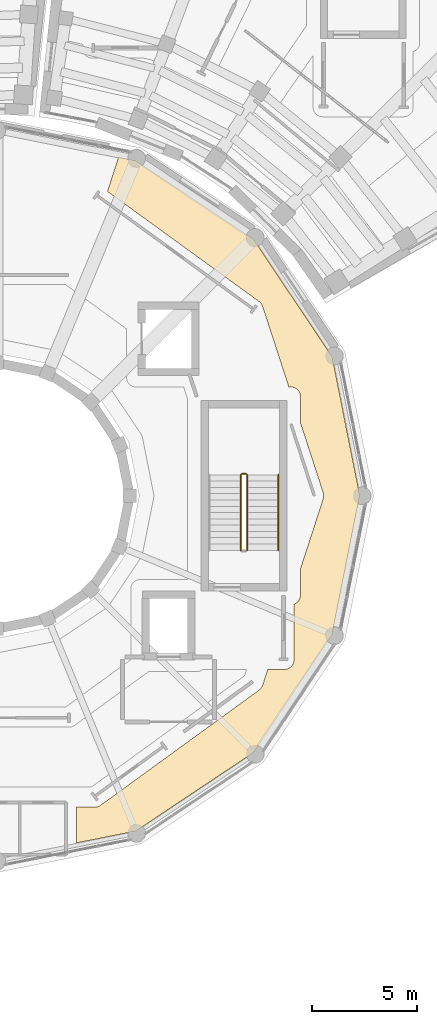
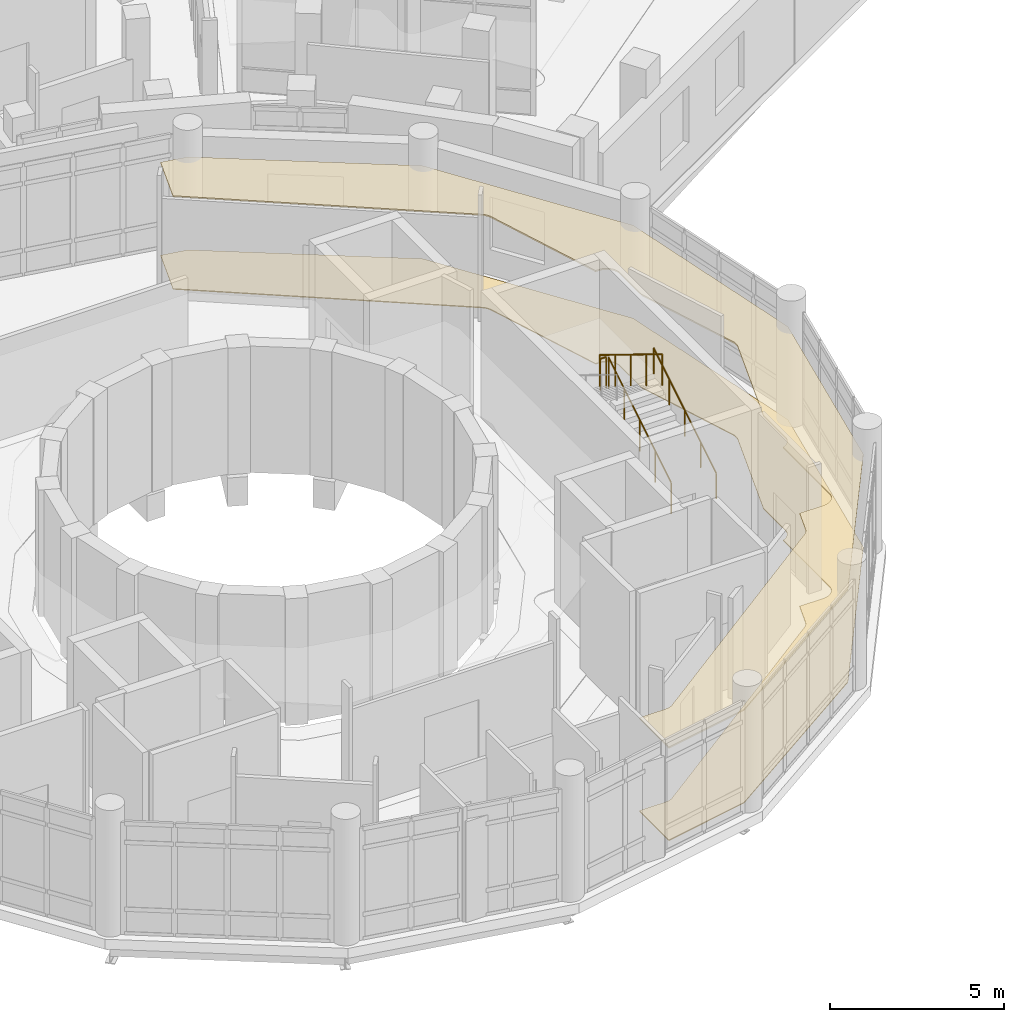
# One storey, part 43 of 49: 4 railings, 2 coverings.
"""IFC4 building model written with IfcOpenShell, lengths in metres."""

from ifc_helpers import new_model, si_unit, direction, frame, origin, origin_2d, place, context, subcontext, project, spatial, polyline, circle, outline, extrude, material, layer, layer_set, type_object, element, save


model = new_model("IFC4")

# Units and contexts
model_context = context("Model", 3, precision=1e-05, world=origin(), true_north=direction((0.0, 1.0)))
body_context = subcontext(model_context, "Body", "Model", "MODEL_VIEW")
ifc_project = project(units=[si_unit("LENGTHUNIT", "METRE"), si_unit("AREAUNIT", "SQUARE_METRE"), si_unit("VOLUMEUNIT", "CUBIC_METRE"), si_unit("PLANEANGLEUNIT", "RADIAN"), si_unit("MASSUNIT", "GRAM", prefix="KILO")], contexts=[model_context])

# Site, building, storey
site_placement = place(None, origin())
site = spatial("IfcSite", under=ifc_project, at=site_placement, CompositionType="ELEMENT")
building_placement = place(site_placement, origin())
building = spatial("IfcBuilding", under=site, at=building_placement, Name="Soyqirgoq Riverine Aquarium", CompositionType="ELEMENT")
storey_placement = place(building_placement, frame((0.0, 0.0, 15.0)))
storey = spatial("IfcBuildingStorey", under=building, at=storey_placement, Name="L04", CompositionType="ELEMENT", Elevation=15.0)

# Covering
ifc_material_1 = material(Name="Perforated mineral-fibre acoustic ceiling", Category="gypsum")
ifc_layer_1 = layer(ifc_material_1, 0.050048828125)
ifc_layer_set_1 = layer_set([ifc_layer_1], Name="Perforated mineral-fibre acoustic ceiling")
covering_type_1 = type_object("IfcCoveringType", Name="AcousticBaffleCeiling_50", PredefinedType="CEILING", material=ifc_layer_set_1)
covering_1_placement = place(storey_placement, frame((0.0, 0.0, 3.25)))
element("IfcCovering", 1, at=covering_1_placement, inside=storey, type_object=covering_type_1, Name="Marine Mammals Observation Room Suspended Ceiling", PredefinedType="CEILING", context=body_context, shape_type="SweptSolid", body=[
    extrude(outline(polyline([(60.68603515625, 42.12890625), (60.73291015625, 42.131103515625), (60.779052734375, 42.138916015625), (60.824951171875, 42.15087890625), (60.868896484375, 42.16796875), (60.910888671875, 42.18896484375), (60.949951171875, 42.215087890625), (68.531982421875, 47.722900390625), (68.568115234375, 47.7529296875), (68.60205078125, 47.785888671875), (68.631103515625, 47.822998046875), (68.656982421875, 47.862060546875), (68.677978515625, 47.904052734375), (68.695068359375, 47.947998046875), (68.943115234375, 48.7099609375), (69.739990234375, 48.7099609375), (69.783935546875, 48.7119140625), (69.827880859375, 48.718994140625), (69.87109375, 48.72900390625), (69.912109375, 48.743896484375), (69.951904296875, 48.762939453125), (69.989990234375, 48.785888671875), (70.02490234375, 48.81201171875), (70.05810546875, 48.842041015625), (70.087890625, 48.875), (70.114013671875, 48.909912109375), (70.136962890625, 48.947998046875), (70.156005859375, 48.988037109375), (70.1708984375, 49.029052734375), (70.180908203125, 49.072021484375), (70.18798828125, 49.115966796875), (70.18994140625, 49.159912109375), (70.18994140625, 51.822998046875), (70.221923828125, 51.833984375), (70.261962890625, 51.85302734375), (70.300048828125, 51.8759765625), (70.3349609375, 51.902099609375), (70.367919921875, 51.931884765625), (70.39794921875, 51.965087890625), (70.424072265625, 52.0), (70.447021484375, 52.0380859375), (70.466064453125, 52.077880859375), (70.48095703125, 52.118896484375), (70.490966796875, 52.162109375), (70.498046875, 52.2060546875), (70.5, 52.25), (70.5, 53.5029296875), (71.591064453125, 56.861083984375), (71.60302734375, 56.906005859375), (71.611083984375, 56.952880859375), (71.613037109375, 57.0), (71.611083984375, 57.047119140625), (71.60302734375, 57.093994140625), (71.591064453125, 57.138916015625), (70.5, 60.4970703125), (70.5, 61.75), (70.498046875, 61.7939453125), (70.490966796875, 61.837890625), (70.48095703125, 61.881103515625), (70.466064453125, 61.922119140625), (70.447021484375, 61.9619140625), (70.424072265625, 62.0), (70.39794921875, 62.034912109375), (70.367919921875, 62.068115234375), (70.3349609375, 62.097900390625), (70.300048828125, 62.1240234375), (70.261962890625, 62.14697265625), (70.221923828125, 62.166015625), (70.180908203125, 62.180908203125), (70.137939453125, 62.19091796875), (70.093994140625, 62.197998046875), (70.050048828125, 62.199951171875), (69.947021484375, 62.199951171875), (68.695068359375, 66.052001953125), (68.677978515625, 66.095947265625), (68.656982421875, 66.137939453125), (68.631103515625, 66.177001953125), (68.60205078125, 66.214111328125), (68.568115234375, 66.2470703125), (68.531982421875, 66.277099609375), (61.282958984375, 71.54296875), (61.81494140625, 73.180908203125), (62.635009765625, 73.01806640625), (68.259033203125, 69.259033203125), (72.01806640625, 63.635009765625), (73.3369140625, 57.0), (72.01806640625, 50.364990234375), (68.259033203125, 44.740966796875), (62.635009765625, 40.98193359375), (59.81005859375, 40.4208984375), (59.81005859375, 42.12890625), (60.68603515625, 42.12890625)])), origin(), (0.0, 0.0, 1.0), 0.050048828125),
])

# Railings
ifc_material_2 = material(Name="Brushed stainless steel 316L tubular handrail", Category="steel")
railing_type_1 = type_object("IfcRailingType", Name="StairPitchHandrail_920", PredefinedType="HANDRAIL", material=ifc_material_2)
railing_1_placement = place(storey_placement, frame((69.449951171875, 54.39990234375, 0.1845703125)))
element("IfcRailing", 2, at=railing_1_placement, inside=storey, type_object=railing_type_1, Name="L04 ST-1 stair handrail 1", PredefinedType="HANDRAIL", context=body_context, shape_type="SweptSolid", body=[
    extrude(circle(Radius=0.02392578125, at=origin_2d()), frame((0.0, 0.0, 0.89990234375), z_axis=(0.0, 0.85167021472, 0.524078090897), x_axis=(-1.0, 0.0, 0.0)), (0.0, 0.0, 1.0), 4.22705078125),
    extrude(circle(Radius=0.02099609375, at=origin_2d()), origin(), (0.0, 0.0, 1.0), 0.875732421875),
    extrude(circle(Radius=0.02099609375, at=origin_2d()), frame((0.0, 0.89990234375, 0.5537109375)), (0.0, 0.0, 1.0), 0.875732421875),
    extrude(circle(Radius=0.02099609375, at=origin_2d()), frame((0.0, 1.800048828125, 1.107666015625)), (0.0, 0.0, 1.0), 0.875732421875),
    extrude(circle(Radius=0.02099609375, at=origin_2d()), frame((0.0, 2.7001953125, 1.66162109375)), (0.0, 0.0, 1.0), 0.875732421875),
    extrude(circle(Radius=0.02099609375, at=origin_2d()), frame((0.0, 3.60009765625, 2.21533203125)), (0.0, 0.0, 1.0), 0.875732421875),
])
ifc_material_3 = material(Name="Painted steel infill stair-well guardrail", Category="steel")
railing_type_2 = type_object("IfcRailingType", Name="StairWellGuard_1120", PredefinedType="GUARDRAIL", material=ifc_material_3)
railing_2_placement = place(storey_placement, frame((67.949951171875, 54.39990234375, 0.1845703125)))
element("IfcRailing", 3, at=railing_2_placement, inside=storey, type_object=railing_type_2, Name="L04 ST-1 stair guard 1", PredefinedType="GUARDRAIL", context=body_context, shape_type="SweptSolid", body=[
    extrude(circle(Radius=0.02392578125, at=origin_2d()), frame((0.0, 0.0, 1.09619140625), z_axis=(0.0, 0.85167021472, 0.524078090897), x_axis=(-1.0, 0.0, 0.0)), (0.0, 0.0, 1.0), 4.22705078125),
    extrude(circle(Radius=0.02099609375, at=origin_2d()), origin(), (0.0, 0.0, 1.0), 1.072021484375),
    extrude(circle(Radius=0.02099609375, at=origin_2d()), frame((0.0, 0.89990234375, 0.5537109375)), (0.0, 0.0, 1.0), 1.072021484375),
    extrude(circle(Radius=0.02099609375, at=origin_2d()), frame((0.0, 1.800048828125, 1.107666015625)), (0.0, 0.0, 1.0), 1.072021484375),
    extrude(circle(Radius=0.02099609375, at=origin_2d()), frame((0.0, 2.7001953125, 1.66162109375)), (0.0, 0.0, 1.0), 1.072021484375),
    extrude(circle(Radius=0.02099609375, at=origin_2d()), frame((0.0, 3.60009765625, 2.21533203125)), (0.0, 0.0, 1.0), 1.072021484375),
])
railing_3_placement = place(storey_placement, frame((67.89990234375, 58.050048828125, 2.39990234375)))
element("IfcRailing", 4, at=railing_3_placement, inside=storey, type_object=railing_type_2, Name="L04 ST-1 stair guard 2", PredefinedType="GUARDRAIL", context=body_context, shape_type="SweptSolid", body=[
    extrude(circle(Radius=0.02392578125, at=origin_2d()), frame((0.0, 0.0, 1.09619140625), z_axis=(-1.0, 0.0, 0.0), x_axis=(0.0, -1.0, 0.0)), (0.0, 0.0, 1.0), 0.199951171875),
    extrude(circle(Radius=0.02099609375, at=origin_2d()), origin(), (0.0, 0.0, 1.0), 1.072021484375),
    extrude(circle(Radius=0.02099609375, at=origin_2d()), frame((-0.199951171875, 0.0, 0.0)), (0.0, 0.0, 1.0), 1.072021484375),
])
railing_4_placement = place(storey_placement, frame((67.64990234375, 58.0, 2.584716796875)))
element("IfcRailing", 5, at=railing_4_placement, inside=storey, type_object=railing_type_2, Name="L04 ST-1 stair guard 3", PredefinedType="GUARDRAIL", context=body_context, shape_type="SweptSolid", body=[
    extrude(circle(Radius=0.02392578125, at=origin_2d()), frame((0.0, 0.0, 1.09619140625), z_axis=(0.0, -0.85167021472, 0.524078090897), x_axis=(1.0, 0.0, 0.0)), (0.0, 0.0, 1.0), 4.22705078125),
    extrude(circle(Radius=0.02099609375, at=origin_2d()), origin(), (0.0, 0.0, 1.0), 1.072021484375),
    extrude(circle(Radius=0.02099609375, at=origin_2d()), frame((0.0, -0.89990234375, 0.5537109375)), (0.0, 0.0, 1.0), 1.072021484375),
    extrude(circle(Radius=0.02099609375, at=origin_2d()), frame((0.0, -1.800048828125, 1.107666015625)), (0.0, 0.0, 1.0), 1.072021484375),
    extrude(circle(Radius=0.02099609375, at=origin_2d()), frame((0.0, -2.7001953125, 1.66162109375)), (0.0, 0.0, 1.0), 1.072021484375),
    extrude(circle(Radius=0.02099609375, at=origin_2d()), frame((0.0, -3.60009765625, 2.21533203125)), (0.0, 0.0, 1.0), 1.072021484375),
])

# Covering
ifc_material_4 = material(Name="Polished Chirchiq river-pebble terrazzo flooring", Category="concrete")
ifc_layer_2 = layer(ifc_material_4, 0.030029296875)
ifc_layer_set_2 = layer_set([ifc_layer_2], Name="Polished Chirchiq river-pebble terrazzo flooring")
covering_type_2 = type_object("IfcCoveringType", Name="TerrazzoFloorFinish_30", PredefinedType="FLOORING", material=ifc_layer_set_2)
covering_2_placement = place(storey_placement, origin())
element("IfcCovering", 6, at=covering_2_placement, inside=storey, type_object=covering_type_2, Name="Marine Mammals Observation Room Floor Finish", PredefinedType="FLOORING", context=body_context, shape_type="SweptSolid", body=[
    extrude(outline(polyline([(60.68603515625, 42.12890625), (60.73291015625, 42.131103515625), (60.779052734375, 42.138916015625), (60.824951171875, 42.15087890625), (60.868896484375, 42.16796875), (60.910888671875, 42.18896484375), (60.949951171875, 42.215087890625), (68.531982421875, 47.722900390625), (68.568115234375, 47.7529296875), (68.60205078125, 47.785888671875), (68.631103515625, 47.822998046875), (68.656982421875, 47.862060546875), (68.677978515625, 47.904052734375), (68.695068359375, 47.947998046875), (68.943115234375, 48.7099609375), (69.739990234375, 48.7099609375), (69.783935546875, 48.7119140625), (69.827880859375, 48.718994140625), (69.87109375, 48.72900390625), (69.912109375, 48.743896484375), (69.951904296875, 48.762939453125), (69.989990234375, 48.785888671875), (70.02490234375, 48.81201171875), (70.05810546875, 48.842041015625), (70.087890625, 48.875), (70.114013671875, 48.909912109375), (70.136962890625, 48.947998046875), (70.156005859375, 48.988037109375), (70.1708984375, 49.029052734375), (70.180908203125, 49.072021484375), (70.18798828125, 49.115966796875), (70.18994140625, 49.159912109375), (70.18994140625, 51.822998046875), (70.221923828125, 51.833984375), (70.261962890625, 51.85302734375), (70.300048828125, 51.8759765625), (70.3349609375, 51.902099609375), (70.367919921875, 51.931884765625), (70.39794921875, 51.965087890625), (70.424072265625, 52.0), (70.447021484375, 52.0380859375), (70.466064453125, 52.077880859375), (70.48095703125, 52.118896484375), (70.490966796875, 52.162109375), (70.498046875, 52.2060546875), (70.5, 52.25), (70.5, 53.5029296875), (71.591064453125, 56.861083984375), (71.60302734375, 56.906005859375), (71.611083984375, 56.952880859375), (71.613037109375, 57.0), (71.611083984375, 57.047119140625), (71.60302734375, 57.093994140625), (71.591064453125, 57.138916015625), (70.5, 60.4970703125), (70.5, 61.75), (70.498046875, 61.7939453125), (70.490966796875, 61.837890625), (70.48095703125, 61.881103515625), (70.466064453125, 61.922119140625), (70.447021484375, 61.9619140625), (70.424072265625, 62.0), (70.39794921875, 62.034912109375), (70.367919921875, 62.068115234375), (70.3349609375, 62.097900390625), (70.300048828125, 62.1240234375), (70.261962890625, 62.14697265625), (70.221923828125, 62.166015625), (70.180908203125, 62.180908203125), (70.137939453125, 62.19091796875), (70.093994140625, 62.197998046875), (70.050048828125, 62.199951171875), (69.947021484375, 62.199951171875), (68.695068359375, 66.052001953125), (68.677978515625, 66.095947265625), (68.656982421875, 66.137939453125), (68.631103515625, 66.177001953125), (68.60205078125, 66.214111328125), (68.568115234375, 66.2470703125), (68.531982421875, 66.277099609375), (61.282958984375, 71.54296875), (61.81494140625, 73.180908203125), (62.635009765625, 73.01806640625), (68.259033203125, 69.259033203125), (72.01806640625, 63.635009765625), (73.3369140625, 57.0), (72.01806640625, 50.364990234375), (68.259033203125, 44.740966796875), (62.635009765625, 40.98193359375), (59.81005859375, 40.4208984375), (59.81005859375, 42.12890625), (60.68603515625, 42.12890625)])), origin(), (0.0, 0.0, 1.0), 0.030029296875),
])

save(model, "model.ifc")
